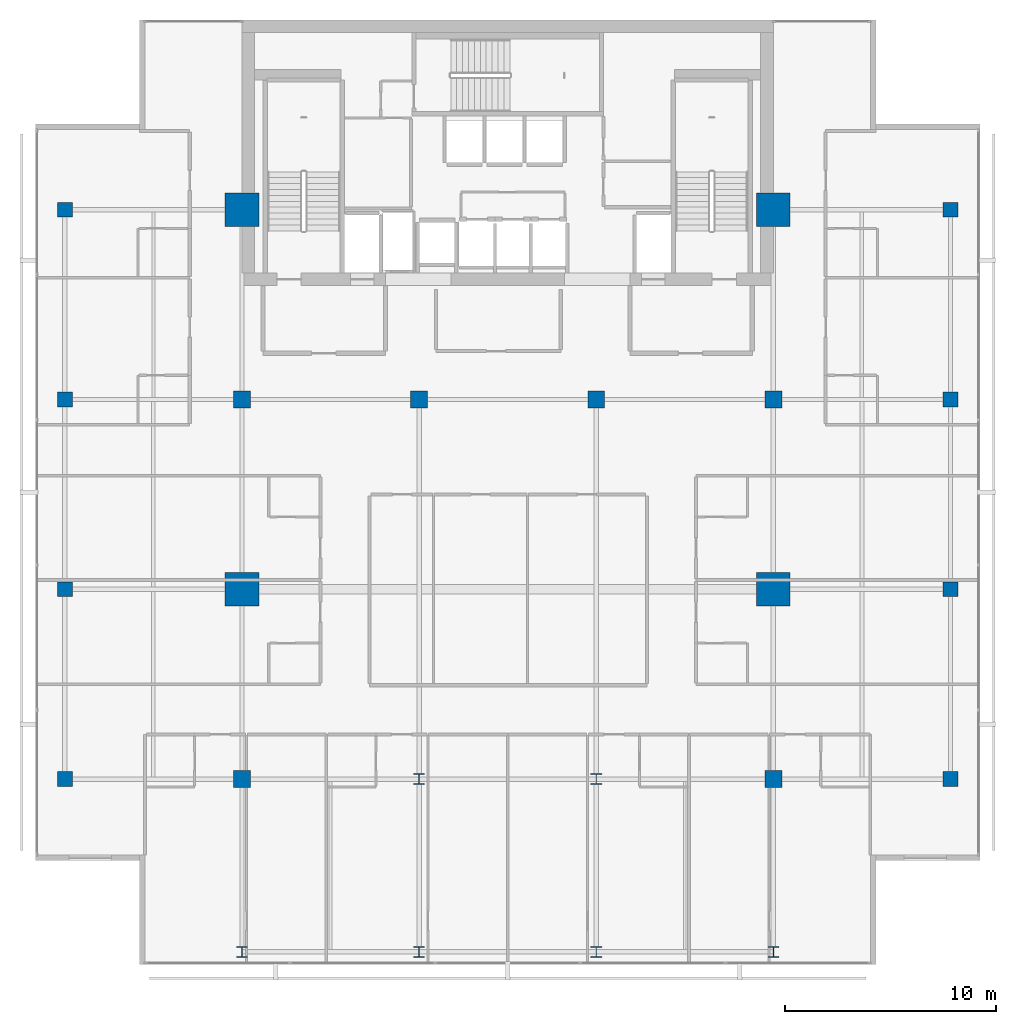
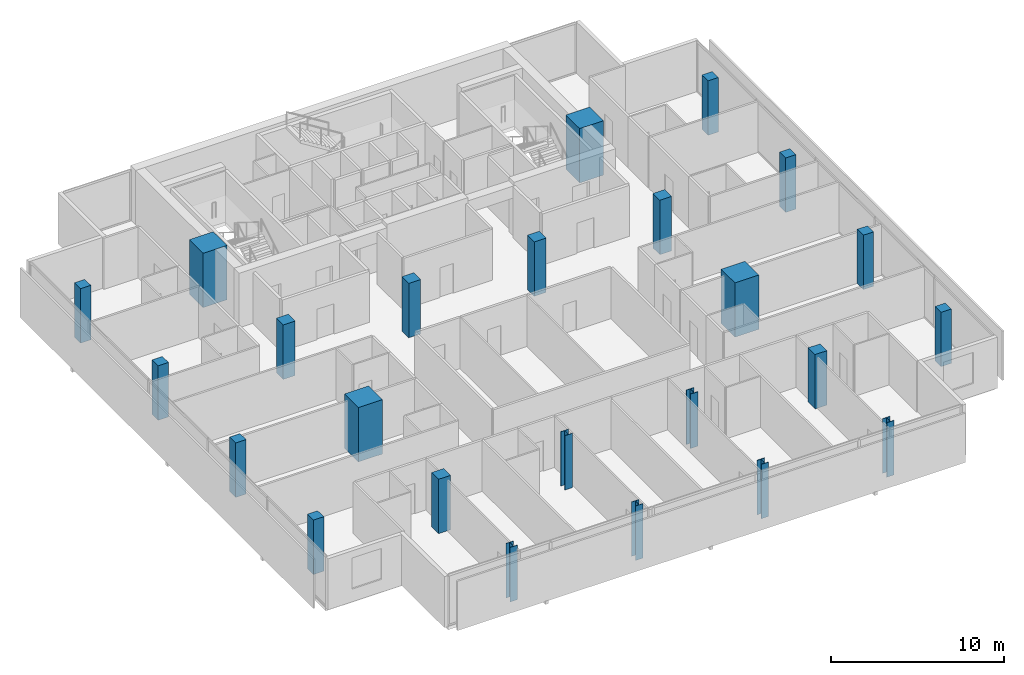
# One storey, part 1 of 26: 24 columns.
"""IFC4 building model written with IfcOpenShell, lengths in metres."""

from ifc_helpers import new_model, si_unit, direction, frame, origin, origin_2d, place, context, subcontext, project, spatial, rectangle, i_section, extrude, material, material_profile, profile_set, type_object, element, save


model = new_model("IFC4")

# Units and contexts
model_context = context("Model", 3, precision=1e-05, world=origin(), true_north=direction((0.0, 1.0)))
body_context = subcontext(model_context, "Body", "Model", "MODEL_VIEW")
ifc_project = project(units=[si_unit("LENGTHUNIT", "METRE"), si_unit("AREAUNIT", "SQUARE_METRE"), si_unit("VOLUMEUNIT", "CUBIC_METRE"), si_unit("PLANEANGLEUNIT", "RADIAN"), si_unit("MASSUNIT", "GRAM", prefix="KILO")], contexts=[model_context])

# Site, building, storey
site_placement = place(None, origin())
site = spatial("IfcSite", under=ifc_project, at=site_placement, CompositionType="ELEMENT")
building_placement = place(site_placement, origin())
building = spatial("IfcBuilding", under=site, at=building_placement, Name="Maruvema Waterfront Hotel and Observation Tower", CompositionType="ELEMENT")
storey_placement = place(building_placement, frame((0.0, 0.0, 258.64990234375)))
storey = spatial("IfcBuildingStorey", under=building, at=storey_placement, Name="L63", CompositionType="ELEMENT", Elevation=258.64990234375)

# Columns
ifc_material_1 = material(Name="Concrete C70/85", Category="concrete")
ifc_material_profile_1 = material_profile(ifc_material_1, rectangle(XDim=1.60009765625, YDim=1.60009765625, at=origin_2d()), Name="MC1600x1600")
ifc_profile_set_1 = profile_set([ifc_material_profile_1], Name="Concrete C70/85")
column_type_1 = type_object("IfcColumnType", Name="Continuous Mega-Column MC1600x1600", PredefinedType="COLUMN", material=ifc_profile_set_1)
for number, where, z_axis, x_axis, name in (
    (1, (25.199951171875, 27.0, 0.0), (0.0, 0.0, 1.0), (1.0, 0.0, 0.0), "L63 Continuous Mega-Column MC-01"),
    (2, (50.39990234375, 27.0, 0.0), (0.0, 0.0, 1.0), (1.0, 0.0, 0.0), "L63 Continuous Mega-Column MC-02"),
    (3, (25.199951171875, 45.0, 0.0), (0.0, 0.0, 1.0), (1.0, 0.0, 0.0), "L63 Continuous Mega-Column MC-03"),
    (4, (50.39990234375, 45.0, 0.0), (0.0, 0.0, 1.0), (1.0, 0.0, 0.0), "L63 Continuous Mega-Column MC-04"),
):
    element("IfcColumn", number, at=place(storey_placement, frame(where, z_axis=z_axis, x_axis=x_axis)), inside=storey, type_object=column_type_1, Name=name, PredefinedType="COLUMN", context=body_context, shape_type="SweptSolid", body=[
        extrude(rectangle(XDim=1.60009765625, YDim=1.60009765625, at=origin_2d()), origin(), (0.0, 0.0, 1.0), 3.85009765625),
    ])
ifc_material_2 = material(Name="Concrete C60/75", Category="concrete")
ifc_material_profile_2 = material_profile(ifc_material_2, rectangle(XDim=0.699951171875, YDim=0.699951171875, at=origin_2d()), Name="RC700x700")
ifc_profile_set_2 = profile_set([ifc_material_profile_2], Name="Concrete C60/75")
column_type_2 = type_object("IfcColumnType", Name="Reinforced Concrete Column RC700x700", PredefinedType="COLUMN", material=ifc_profile_set_2)
for number, where, z_axis, x_axis, name in (
    (5, (16.800048828125, 18.0, 0.0), (0.0, 0.0, 1.0), (1.0, 0.0, 0.0), "L63 Column C-3Y18"),
    (6, (58.800048828125, 18.0, 0.0), (0.0, 0.0, 1.0), (1.0, 0.0, 0.0), "L63 Column C-8Y18"),
    (7, (16.800048828125, 27.0, 0.0), (0.0, 0.0, 1.0), (1.0, 0.0, 0.0), "L63 Column C-3Y27"),
    (8, (58.800048828125, 27.0, 0.0), (0.0, 0.0, 1.0), (1.0, 0.0, 0.0), "L63 Column C-8Y27"),
    (9, (16.800048828125, 36.0, 0.0), (0.0, 0.0, 1.0), (1.0, 0.0, 0.0), "L63 Column C-3Y36"),
    (10, (58.800048828125, 36.0, 0.0), (0.0, 0.0, 1.0), (1.0, 0.0, 0.0), "L63 Column C-8Y36"),
    (11, (16.800048828125, 45.0, 0.0), (0.0, 0.0, 1.0), (1.0, 0.0, 0.0), "L63 Column C-3Y45"),
    (12, (58.800048828125, 45.0, 0.0), (0.0, 0.0, 1.0), (1.0, 0.0, 0.0), "L63 Column C-8Y45"),
):
    element("IfcColumn", number, at=place(storey_placement, frame(where, z_axis=z_axis, x_axis=x_axis)), inside=storey, type_object=column_type_2, Name=name, PredefinedType="COLUMN", context=body_context, shape_type="SweptSolid", body=[
        extrude(rectangle(XDim=0.699951171875, YDim=0.699951171875, at=origin_2d()), origin(), (0.0, 0.0, 1.0), 3.85009765625),
    ])
ifc_material_3 = material(Name="Concrete C60/75", Category="concrete")
ifc_material_profile_3 = material_profile(ifc_material_3, rectangle(XDim=0.800048828125, YDim=0.800048828125, at=origin_2d()), Name="RC800x800")
ifc_profile_set_3 = profile_set([ifc_material_profile_3], Name="Concrete C60/75")
column_type_3 = type_object("IfcColumnType", Name="Reinforced Concrete Column RC800x800", PredefinedType="COLUMN", material=ifc_profile_set_3)
for number, where, z_axis, x_axis, name in (
    (13, (25.199951171875, 36.0, 0.0), (0.0, 0.0, 1.0), (1.0, 0.0, 0.0), "L63 Column C-4E"),
    (14, (33.60009765625, 36.0, 0.0), (0.0, 0.0, 1.0), (1.0, 0.0, 0.0), "L63 Column C-5E"),
    (15, (42.0, 36.0, 0.0), (0.0, 0.0, 1.0), (1.0, 0.0, 0.0), "L63 Column C-6E"),
    (16, (50.39990234375, 36.0, 0.0), (0.0, 0.0, 1.0), (1.0, 0.0, 0.0), "L63 Column C-7E"),
    (17, (25.199951171875, 18.0, 0.0), (0.0, 0.0, 1.0), (1.0, 0.0, 0.0), "L63 Column C-4C"),
    (18, (50.39990234375, 18.0, 0.0), (0.0, 0.0, 1.0), (1.0, 0.0, 0.0), "L63 Column C-7C"),
):
    element("IfcColumn", number, at=place(storey_placement, frame(where, z_axis=z_axis, x_axis=x_axis)), inside=storey, type_object=column_type_3, Name=name, PredefinedType="COLUMN", context=body_context, shape_type="SweptSolid", body=[
        extrude(rectangle(XDim=0.800048828125, YDim=0.800048828125, at=origin_2d()), origin(), (0.0, 0.0, 1.0), 3.85009765625),
    ])
ifc_material_4 = material(Name="Steel ABNT NBR 7007 AR 415 (ASTM A572 Grade 50)", Category="steel")
ifc_material_profile_4 = material_profile(ifc_material_4, i_section(OverallWidth=0.5, OverallDepth=0.5, WebThickness=0.02197265625, FlangeThickness=0.031982421875, at=origin_2d()), Name="CVS500x223")
ifc_profile_set_4 = profile_set([ifc_material_profile_4], Name="Steel ABNT NBR 7007 AR 415 (ASTM A572 Grade 50)")
column_type_4 = type_object("IfcColumnType", Name="Structural Steel Column CVS500x223", PredefinedType="COLUMN", material=ifc_profile_set_4)
for number, where, z_axis, x_axis, name in (
    (19, (33.60009765625, 18.0, 0.0), (0.0, 0.0, 1.0), (1.0, 0.0, 0.0), "L63 Column C-5C"),
    (20, (42.0, 18.0, 0.0), (0.0, 0.0, 1.0), (1.0, 0.0, 0.0), "L63 Column C-6C"),
    (21, (25.199951171875, 9.800048828125, 0.0), (0.0, 0.0, 1.0), (1.0, 0.0, 0.0), "L63 Column C-Z3S4"),
    (22, (33.60009765625, 9.800048828125, 0.0), (0.0, 0.0, 1.0), (1.0, 0.0, 0.0), "L63 Column C-Z3S5"),
    (23, (42.0, 9.800048828125, 0.0), (0.0, 0.0, 1.0), (1.0, 0.0, 0.0), "L63 Column C-Z3S6"),
    (24, (50.39990234375, 9.800048828125, 0.0), (0.0, 0.0, 1.0), (1.0, 0.0, 0.0), "L63 Column C-Z3S7"),
):
    element("IfcColumn", number, at=place(storey_placement, frame(where, z_axis=z_axis, x_axis=x_axis)), inside=storey, type_object=column_type_4, Name=name, PredefinedType="COLUMN", context=body_context, shape_type="SweptSolid", body=[
        extrude(i_section(OverallWidth=0.5, OverallDepth=0.5, WebThickness=0.02197265625, FlangeThickness=0.031982421875, at=origin_2d()), origin(), (0.0, 0.0, 1.0), 3.85009765625),
    ])

save(model, "model.ifc")
